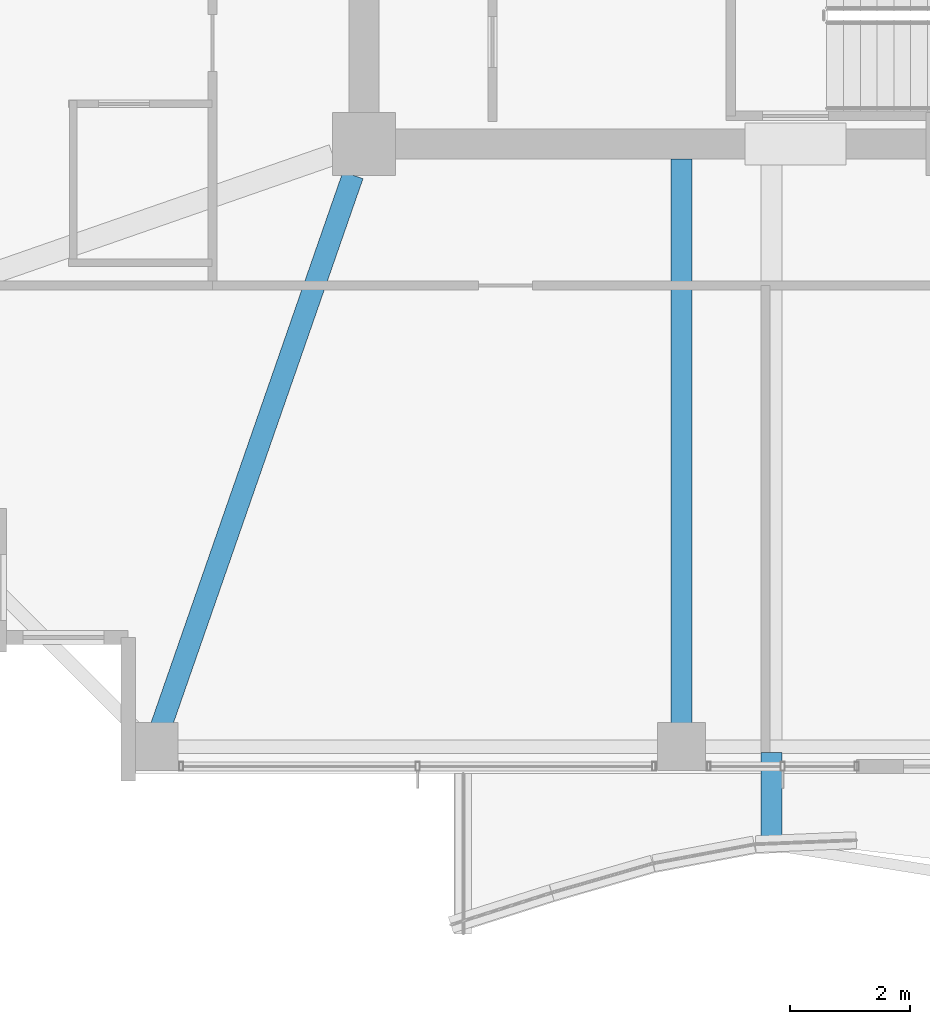
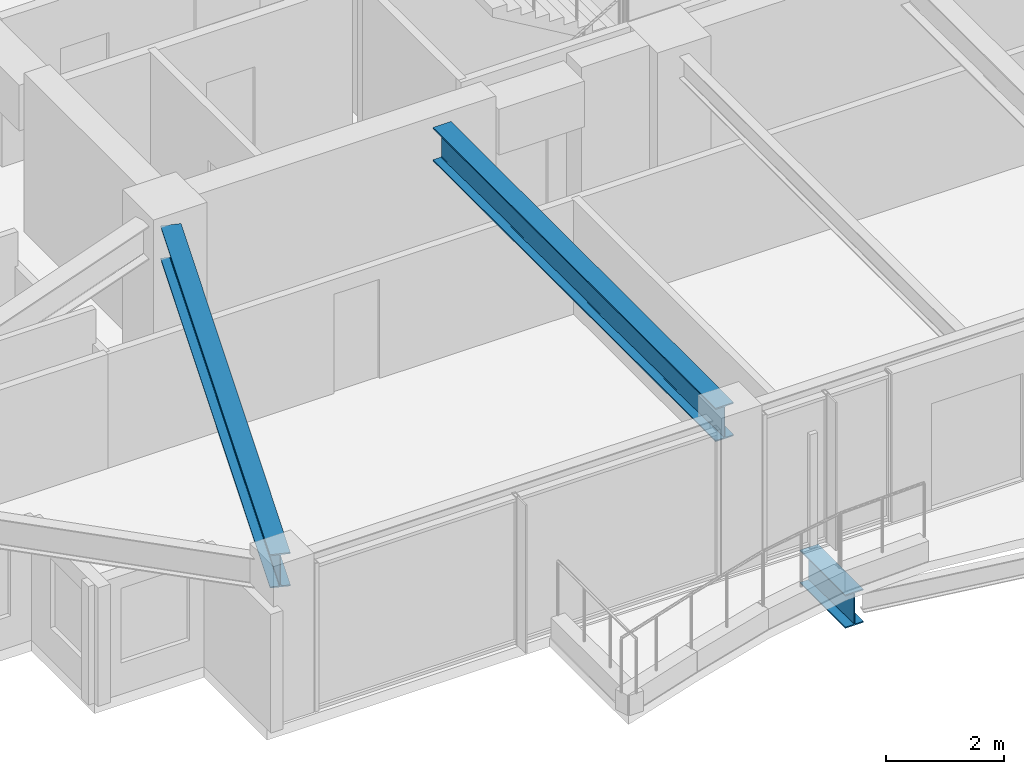
# One storey, part 5 of 36: 3 beams.
"""IFC4 building model written with IfcOpenShell, lengths in metres."""

from ifc_helpers import new_model, si_unit, direction, frame, origin, origin_2d, place, context, subcontext, project, spatial, i_section, extrude, material, material_profile, profile_set, type_object, element, save


model = new_model("IFC4")

# Units and contexts
model_context = context("Model", 3, precision=1e-05, world=origin(), true_north=direction((0.0, 1.0)))
body_context = subcontext(model_context, "Body", "Model", "MODEL_VIEW")
ifc_project = project(units=[si_unit("LENGTHUNIT", "METRE"), si_unit("AREAUNIT", "SQUARE_METRE"), si_unit("VOLUMEUNIT", "CUBIC_METRE"), si_unit("PLANEANGLEUNIT", "RADIAN"), si_unit("MASSUNIT", "GRAM", prefix="KILO")], contexts=[model_context])

# Site, building, storey
site_placement = place(None, origin())
site = spatial("IfcSite", under=ifc_project, at=site_placement, CompositionType="ELEMENT")
building_placement = place(site_placement, origin())
building = spatial("IfcBuilding", under=site, at=building_placement, Name="Kolvaren Belvedere", CompositionType="ELEMENT")
storey_placement = place(building_placement, frame((0.0, 0.0, 196.5)))
storey = spatial("IfcBuildingStorey", under=building, at=storey_placement, Name="L57", CompositionType="ELEMENT", Elevation=196.5)

# Beams
ifc_material_1 = material(Name="Structural steel ASTM A992 Grade 50", Category="steel")
ifc_material_profile_1 = material_profile(ifc_material_1, i_section(OverallWidth=0.35498046875, OverallDepth=0.696044921875, WebThickness=0.015380859375, FlangeThickness=0.02490234375, FilletRadius=0.02197265625, at=origin_2d()), Name="W27X146")
ifc_profile_set_1 = profile_set([ifc_material_profile_1], Name="Structural steel ASTM A992 Grade 50")
beam_type_1 = type_object("IfcBeamType", Name="BM-CANT-BAL", PredefinedType="BEAM", material=ifc_profile_set_1)
beam_1_placement = place(storey_placement, frame((-3.10009765625, -20.044921875, -0.568115234375), z_axis=(0.0, -1.0, 0.0), x_axis=(1.0, 0.0, 0.0)))
element("IfcBeam", 1, at=beam_1_placement, inside=storey, type_object=beam_type_1, Name="L57 Planted Balcony Cantilever BAL-S-1", PredefinedType="BEAM", context=body_context, shape_type="SweptSolid", body=[
    extrude(i_section(OverallWidth=0.35498046875, OverallDepth=0.696044921875, WebThickness=0.015380859375, FlangeThickness=0.02490234375, FilletRadius=0.02197265625, at=origin_2d()), origin(), (0.0, 0.0, 1.0), 1.54052734375),
])
ifc_material_2 = material(Name="Structural steel ASTM A992 Grade 50", Category="steel")
ifc_material_profile_2 = material_profile(ifc_material_2, i_section(OverallWidth=0.35498046875, OverallDepth=0.696044921875, WebThickness=0.015380859375, FlangeThickness=0.02490234375, FilletRadius=0.02197265625, at=origin_2d()), Name="W27X146")
ifc_profile_set_2 = profile_set([ifc_material_profile_2], Name="Structural steel ASTM A992 Grade 50")
beam_type_2 = type_object("IfcBeamType", Name="BM-GIRD-W27X146", PredefinedType="BEAM", material=ifc_profile_set_2)
beam_2_placement = place(storey_placement, frame((-4.60009765625, -10.14990234375, 2.73193359375), z_axis=(0.0, -1.0, 0.0), x_axis=(1.0, 0.0, 0.0)))
element("IfcBeam", 2, at=beam_2_placement, inside=storey, type_object=beam_type_2, Name="L57 South Radial Girder M", PredefinedType="BEAM", context=body_context, shape_type="SweptSolid", body=[
    extrude(i_section(OverallWidth=0.35498046875, OverallDepth=0.696044921875, WebThickness=0.015380859375, FlangeThickness=0.02490234375, FilletRadius=0.02197265625, at=origin_2d()), origin(), (0.0, 0.0, 1.0), 9.6201171875),
])
beam_3_placement = place(storey_placement, frame((-10.080810546875, -10.41943359375, 2.73193359375), z_axis=(-0.328898147971, -0.944365399758, 0.0), x_axis=(0.944365399758, -0.328898147971, 0.0)))
element("IfcBeam", 3, at=beam_3_placement, inside=storey, type_object=beam_type_2, Name="L57 Corner Core-to-Perimeter Girder CC1-S1", PredefinedType="BEAM", context=body_context, shape_type="SweptSolid", body=[
    extrude(i_section(OverallWidth=0.35498046875, OverallDepth=0.696044921875, WebThickness=0.015380859375, FlangeThickness=0.02490234375, FilletRadius=0.02197265625, at=origin_2d()), origin(), (0.0, 0.0, 1.0), 9.931884765625),
])

save(model, "model.ifc")
